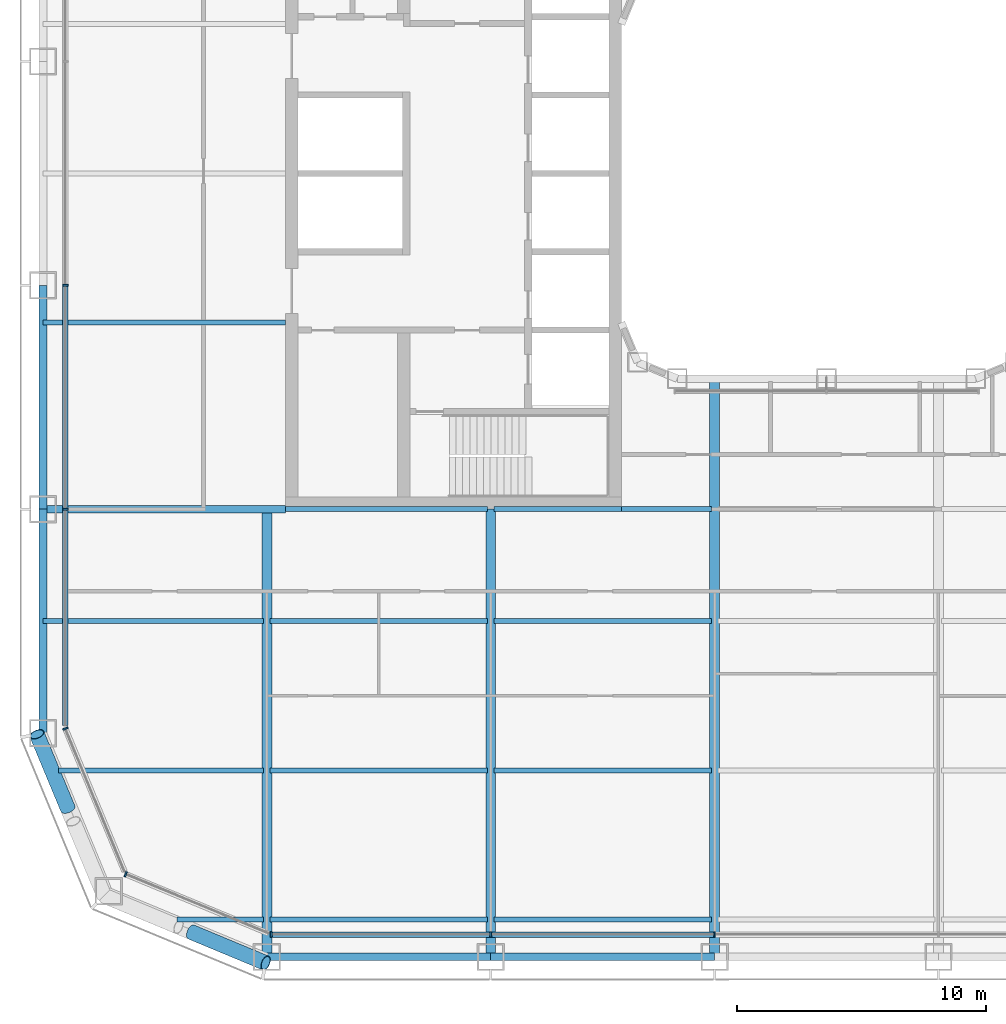
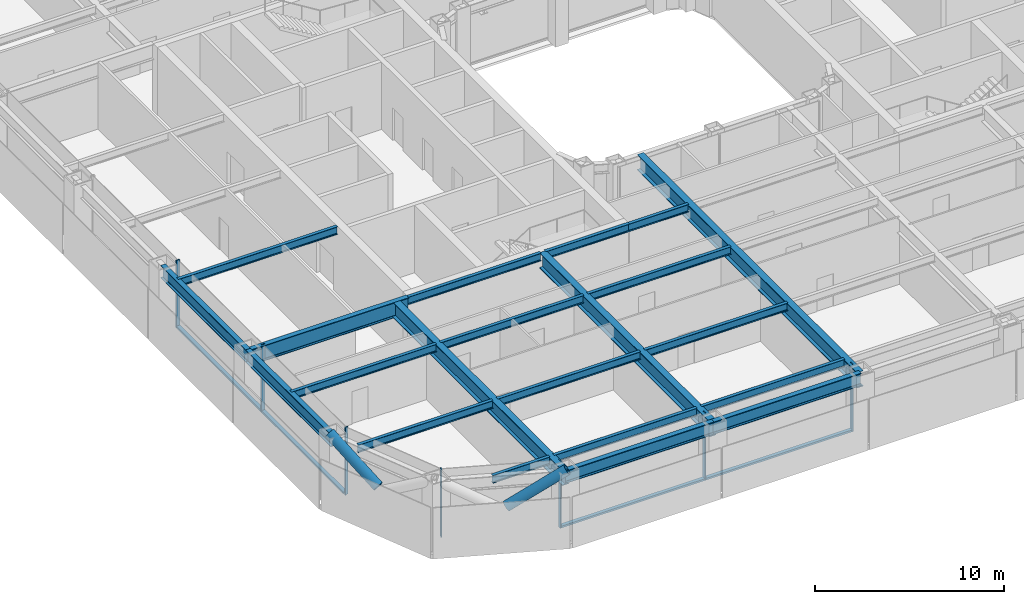
# One storey, part 2 of 30: 21 beams, 13 members, 4 elements without a shape of their own.
"""IFC4 building model written with IfcOpenShell, lengths in metres."""

from ifc_helpers import new_model, si_unit, direction, frame, origin, origin_2d, place, context, subcontext, project, spatial, rectangle, hollow_circle, i_section, extrude, material, layer, layer_set, material_profile, profile_set, type_object, element, aggregate, save


model = new_model("IFC4")

# Units and contexts
model_context = context("Model", 3, precision=1e-05, world=origin(), true_north=direction((0.0, 1.0)))
body_context = subcontext(model_context, "Body", "Model", "MODEL_VIEW")
ifc_project = project(units=[si_unit("LENGTHUNIT", "METRE"), si_unit("AREAUNIT", "SQUARE_METRE"), si_unit("VOLUMEUNIT", "CUBIC_METRE"), si_unit("PLANEANGLEUNIT", "RADIAN"), si_unit("MASSUNIT", "GRAM", prefix="KILO")], contexts=[model_context])

# Site, building, storey
site_placement = place(None, origin())
site = spatial("IfcSite", under=ifc_project, at=site_placement, CompositionType="ELEMENT")
building_placement = place(site_placement, origin())
building = spatial("IfcBuilding", under=site, at=building_placement, Name="Siwar Civic Tower", CompositionType="ELEMENT")
storey_placement = place(building_placement, frame((0.0, 0.0, 44.699951171875)))
storey = spatial("IfcBuildingStorey", under=building, at=storey_placement, Name="L09", CompositionType="ELEMENT", Elevation=44.699951171875)

# Curtain wall, members
ifc_material_1 = material(Name="Aluminium and glass", Category="aluminium")
ifc_layer_1 = layer(ifc_material_1, 0.219970703125)
ifc_layer_set_1 = layer_set([ifc_layer_1], Name="Aluminium and glass")
curtain_wall_type_1 = type_object("IfcCurtainWallType", Name="ENV-CW-A", PredefinedType="NOTDEFINED", material=ifc_layer_set_1)
curtain_wall_1_placement = place(storey_placement, origin())
curtain_wall_1 = element("IfcCurtainWall", 1, at=curtain_wall_1_placement, inside=storey, type_object=curtain_wall_type_1, Name="Curtain wall A S", PredefinedType="NOTDEFINED")
ifc_material_2 = material(Name="Aluminium 6063-T6", Category="aluminium")
ifc_material_profile_1 = material_profile(ifc_material_2, rectangle(XDim=0.219970703125, YDim=0.070068359375, at=origin_2d()), Name="AL 220x70")
ifc_profile_set_1 = profile_set([ifc_material_profile_1], Name="Aluminium 6063-T6")
member_type_1 = type_object("IfcMemberType", Name="ENV-MULLION-A", PredefinedType="MULLION", material=ifc_profile_set_1)
member_1_placement = place(storey_placement, frame((-22.321044921875, -30.60009765625, 0.0), z_axis=(0.0, 0.0, 1.0), x_axis=(0.0, 1.0, 0.0)))
member_1 = element("IfcMember", 2, at=member_1_placement, type_object=member_type_1, Name="Mullion A S 1", PredefinedType="MULLION", context=body_context, shape_type="SweptSolid", body=[
    extrude(rectangle(XDim=0.219970703125, YDim=0.070068359375, at=origin_2d()), origin(), (0.0, 0.0, 1.0), 4.35009765625),
])
member_2_placement = place(storey_placement, frame((-13.5, -30.60009765625, 0.0), z_axis=(0.0, 0.0, 1.0), x_axis=(0.0, 1.0, 0.0)))
member_2 = element("IfcMember", 3, at=member_2_placement, type_object=member_type_1, Name="Mullion A S 2", PredefinedType="MULLION", context=body_context, shape_type="SweptSolid", body=[
    extrude(rectangle(XDim=0.219970703125, YDim=0.070068359375, at=origin_2d()), origin(), (0.0, 0.0, 1.0), 4.35009765625),
])
member_3_placement = place(storey_placement, frame((-4.5, -30.60009765625, 0.0), z_axis=(0.0, 0.0, 1.0), x_axis=(0.0, 1.0, 0.0)))
member_3 = element("IfcMember", 4, at=member_3_placement, type_object=member_type_1, Name="Mullion A S 3", PredefinedType="MULLION", context=body_context, shape_type="SweptSolid", body=[
    extrude(rectangle(XDim=0.219970703125, YDim=0.070068359375, at=origin_2d()), origin(), (0.0, 0.0, 1.0), 4.35009765625),
])

curtain_wall_2_placement = place(storey_placement, origin())
curtain_wall_2 = element("IfcCurtainWall", 5, at=curtain_wall_2_placement, inside=storey, type_object=curtain_wall_type_1, Name="Curtain wall A W", PredefinedType="NOTDEFINED")
member_4_placement = place(storey_placement, frame((-30.60009765625, -4.5, 0.0), z_axis=(0.0, 0.0, 1.0), x_axis=(1.0, 0.0, 0.0)))
member_4 = element("IfcMember", 6, at=member_4_placement, type_object=member_type_1, Name="Mullion A W 4", PredefinedType="MULLION", context=body_context, shape_type="SweptSolid", body=[
    extrude(rectangle(XDim=0.219970703125, YDim=0.070068359375, at=origin_2d()), origin(), (0.0, 0.0, 1.0), 4.35009765625),
])
member_5_placement = place(storey_placement, frame((-30.60009765625, -13.5, 0.0), z_axis=(0.0, 0.0, 1.0), x_axis=(1.0, 0.0, 0.0)))
member_5 = element("IfcMember", 7, at=member_5_placement, type_object=member_type_1, Name="Mullion A W 5", PredefinedType="MULLION", context=body_context, shape_type="SweptSolid", body=[
    extrude(rectangle(XDim=0.219970703125, YDim=0.070068359375, at=origin_2d()), origin(), (0.0, 0.0, 1.0), 4.35009765625),
])

# Curtain wall, member
ifc_material_3 = material(Name="Aluminium clad insulated panel", Category="aluminium")
ifc_layer_2 = layer(ifc_material_3, 0.219970703125)
ifc_layer_set_2 = layer_set([ifc_layer_2], Name="Aluminium clad insulated panel")
curtain_wall_type_2 = type_object("IfcCurtainWallType", Name="ENV-CW-AX", PredefinedType="NOTDEFINED", material=ifc_layer_set_2)
curtain_wall_3_placement = place(storey_placement, origin())
curtain_wall_3 = element("IfcCurtainWall", 8, at=curtain_wall_3_placement, inside=storey, type_object=curtain_wall_type_2, Name="Curtain wall A SW1", PredefinedType="NOTDEFINED")
member_6_placement = place(storey_placement, frame((-30.60009765625, -22.321044921875, 0.0), z_axis=(0.0, 0.0, 1.0), x_axis=(0.923879532511, 0.382683432365, 0.0)))
member_6 = element("IfcMember", 9, at=member_6_placement, type_object=member_type_1, Name="Mullion A SW1 1", PredefinedType="MULLION", context=body_context, shape_type="SweptSolid", body=[
    extrude(rectangle(XDim=0.219970703125, YDim=0.070068359375, at=origin_2d()), origin(), (0.0, 0.0, 1.0), 4.35009765625),
])
aggregate(curtain_wall_3, [member_6])

curtain_wall_4_placement = place(storey_placement, origin())
curtain_wall_4 = element("IfcCurtainWall", 10, at=curtain_wall_4_placement, inside=storey, type_object=curtain_wall_type_2, Name="Curtain wall A SW2", PredefinedType="NOTDEFINED")
member_7_placement = place(storey_placement, frame((-28.175048828125, -28.175048828125, 0.0), z_axis=(0.0, 0.0, 1.0), x_axis=(0.382683432365, 0.923879532511, 0.0)))
member_7 = element("IfcMember", 11, at=member_7_placement, type_object=member_type_1, Name="Mullion A SW2 1", PredefinedType="MULLION", context=body_context, shape_type="SweptSolid", body=[
    extrude(rectangle(XDim=0.219970703125, YDim=0.070068359375, at=origin_2d()), origin(), (0.0, 0.0, 1.0), 4.35009765625),
])
aggregate(curtain_wall_4, [member_7])

# Member
ifc_material_4 = material(Name="Aluminium 6063-T6", Category="aluminium")
ifc_material_profile_2 = material_profile(ifc_material_4, rectangle(XDim=0.219970703125, YDim=0.1201171875, at=origin_2d()), Name="AL 220x120")
ifc_profile_set_2 = profile_set([ifc_material_profile_2], Name="Aluminium 6063-T6")
member_type_2 = type_object("IfcMemberType", Name="ENV-TRANSOM-A", PredefinedType="USERDEFINED", material=ifc_profile_set_2)
member_8_placement = place(storey_placement, frame((-22.285888671875, -30.60009765625, 0.06005859375), z_axis=(1.0, 0.0, 0.0), x_axis=(0.0, 1.0, 0.0)))
member_8 = element("IfcMember", 12, at=member_8_placement, type_object=member_type_2, Name="Transom A S 1", ObjectType="TRANSOM", PredefinedType="USERDEFINED", context=body_context, shape_type="SweptSolid", body=[
    extrude(rectangle(XDim=0.219970703125, YDim=0.1201171875, at=origin_2d()), origin(), (0.0, 0.0, 1.0), 8.7509765625),
])

member_9_placement = place(storey_placement, frame((-13.465087890625, -30.60009765625, 0.06005859375), z_axis=(1.0, 0.0, 0.0), x_axis=(0.0, 1.0, 0.0)))
member_9 = element("IfcMember", 13, at=member_9_placement, type_object=member_type_2, Name="Transom A S 2", ObjectType="TRANSOM", PredefinedType="USERDEFINED", context=body_context, shape_type="SweptSolid", body=[
    extrude(rectangle(XDim=0.219970703125, YDim=0.1201171875, at=origin_2d()), origin(), (0.0, 0.0, 1.0), 8.93017578125),
])

aggregate(curtain_wall_1, [member_1, member_2, member_3, member_8, member_9])

member_10_placement = place(storey_placement, frame((-30.60009765625, -4.534912109375, 0.06005859375), z_axis=(0.0, -1.0, 0.0), x_axis=(1.0, 0.0, 0.0)))
member_10 = element("IfcMember", 14, at=member_10_placement, type_object=member_type_2, Name="Transom A W 4", ObjectType="TRANSOM", PredefinedType="USERDEFINED", context=body_context, shape_type="SweptSolid", body=[
    extrude(rectangle(XDim=0.219970703125, YDim=0.1201171875, at=origin_2d()), origin(), (0.0, 0.0, 1.0), 8.93017578125),
])

member_11_placement = place(storey_placement, frame((-30.60009765625, -13.534912109375, 0.06005859375), z_axis=(0.0, -1.0, 0.0), x_axis=(1.0, 0.0, 0.0)))
member_11 = element("IfcMember", 15, at=member_11_placement, type_object=member_type_2, Name="Transom A W 5", ObjectType="TRANSOM", PredefinedType="USERDEFINED", context=body_context, shape_type="SweptSolid", body=[
    extrude(rectangle(XDim=0.219970703125, YDim=0.1201171875, at=origin_2d()), origin(), (0.0, 0.0, 1.0), 8.66357421875),
])

aggregate(curtain_wall_2, [member_4, member_5, member_10, member_11])

# Members
ifc_material_5 = material(Name="Steel S355", Category="steel")
ifc_material_profile_3 = material_profile(ifc_material_5, hollow_circle(Radius=0.304931640625, WallThickness=0.030029296875, at=origin_2d()), Name="CHS610x30")
ifc_profile_set_3 = profile_set([ifc_material_profile_3], Name="Steel S355")
member_type_3 = type_object("IfcMemberType", Name="STR-BR-CHS610x30", PredefinedType="BRACE", material=ifc_profile_set_3)
for number, where, z_axis, x_axis, name in (
    (16, (-25.537353515625, -30.500244140625, 2.428466796875), (0.777559680196, -0.3238932121, 0.53897507446), (0.384524353215, 0.923114847559, 0.0), "L09/brc/ASW1-8-0-3"),
    (17, (-30.500244140625, -25.537353515625, 2.428466796875), (-0.3238932121, 0.777559680196, 0.53897507446), (-0.923114847559, -0.384524353215, 0.0), "L09/brc/ASW1-8-0-5"),
):
    element("IfcMember", number, at=place(storey_placement, frame(where, z_axis=z_axis, x_axis=x_axis)), inside=storey, type_object=member_type_3, Name=name, PredefinedType="BRACE", context=body_context, shape_type="SweptSolid", body=[
        extrude(hollow_circle(Radius=0.304931640625, WallThickness=0.030029296875, at=origin_2d()), origin(), (0.0, 0.0, 1.0), 3.843505859375),
    ])

# Beams
ifc_material_6 = material(Name="Steel S355", Category="steel")
ifc_material_profile_4 = material_profile(ifc_material_6, i_section(OverallWidth=0.199951171875, OverallDepth=0.5, WebThickness=0.01025390625, FlangeThickness=0.01611328125, FilletRadius=0.02099609375, at=origin_2d()), Name="IPE500")
ifc_profile_set_4 = profile_set([ifc_material_profile_4], Name="Steel S355")
beam_type_1 = type_object("IfcBeamType", Name="STR-FB-IPE500", PredefinedType="JOIST", material=ifc_profile_set_4)
beam_1_placement = place(storey_placement, frame((-26.121337890625, -30.0, 4.10009765625), z_axis=(1.0, 0.0, 0.0), x_axis=(0.0, 1.0, 0.0)))
element("IfcBeam", 18, at=beam_1_placement, inside=storey, type_object=beam_type_1, Name="L09/bm/F001", PredefinedType="JOIST", context=body_context, shape_type="SweptSolid", body=[
    extrude(i_section(OverallWidth=0.199951171875, OverallDepth=0.5, WebThickness=0.01025390625, FlangeThickness=0.01611328125, FilletRadius=0.02099609375, at=origin_2d()), origin(), (0.0, 0.0, 1.0), 3.491455078125),
])
for number, where, z_axis, x_axis, name in (
    (19, (-22.3701171875, -30.0, 4.10009765625), (1.0, 0.0, 0.0), (0.0, 1.0, 0.0), "L09/bm/F002"),
    (20, (-13.3701171875, -30.0, 4.10009765625), (1.0, 0.0, 0.0), (0.0, 1.0, 0.0), "L09/bm/F003"),
):
    element("IfcBeam", number, at=place(storey_placement, frame(where, z_axis=z_axis, x_axis=x_axis)), inside=storey, type_object=beam_type_1, Name=name, PredefinedType="JOIST", context=body_context, shape_type="SweptSolid", body=[
        extrude(i_section(OverallWidth=0.199951171875, OverallDepth=0.5, WebThickness=0.01025390625, FlangeThickness=0.01611328125, FilletRadius=0.02099609375, at=origin_2d()), origin(), (0.0, 0.0, 1.0), 8.740234375),
    ])
beam_2_placement = place(storey_placement, frame((-30.878662109375, -24.0, 4.10009765625), z_axis=(1.0, 0.0, 0.0), x_axis=(0.0, 1.0, 0.0)))
element("IfcBeam", 21, at=beam_2_placement, inside=storey, type_object=beam_type_1, Name="L09/bm/F008", PredefinedType="JOIST", context=body_context, shape_type="SweptSolid", body=[
    extrude(i_section(OverallWidth=0.199951171875, OverallDepth=0.5, WebThickness=0.01025390625, FlangeThickness=0.01611328125, FilletRadius=0.02099609375, at=origin_2d()), origin(), (0.0, 0.0, 1.0), 8.248779296875),
])
for number, where, z_axis, x_axis, name in (
    (22, (-22.3701171875, -24.0, 4.10009765625), (1.0, 0.0, 0.0), (0.0, 1.0, 0.0), "L09/bm/F009"),
    (23, (-13.3701171875, -24.0, 4.10009765625), (1.0, 0.0, 0.0), (0.0, 1.0, 0.0), "L09/bm/F010"),
):
    element("IfcBeam", number, at=place(storey_placement, frame(where, z_axis=z_axis, x_axis=x_axis)), inside=storey, type_object=beam_type_1, Name=name, PredefinedType="JOIST", context=body_context, shape_type="SweptSolid", body=[
        extrude(i_section(OverallWidth=0.199951171875, OverallDepth=0.5, WebThickness=0.01025390625, FlangeThickness=0.01611328125, FilletRadius=0.02099609375, at=origin_2d()), origin(), (0.0, 0.0, 1.0), 8.740234375),
    ])
beam_3_placement = place(storey_placement, frame((-31.5, -18.0, 4.10009765625), z_axis=(1.0, 0.0, 0.0), x_axis=(0.0, 1.0, 0.0)))
element("IfcBeam", 24, at=beam_3_placement, inside=storey, type_object=beam_type_1, Name="L09/bm/F015", PredefinedType="JOIST", context=body_context, shape_type="SweptSolid", body=[
    extrude(i_section(OverallWidth=0.199951171875, OverallDepth=0.5, WebThickness=0.01025390625, FlangeThickness=0.01611328125, FilletRadius=0.02099609375, at=origin_2d()), origin(), (0.0, 0.0, 1.0), 8.8701171875),
])
for number, where, z_axis, x_axis, name in (
    (25, (-22.3701171875, -18.0, 4.10009765625), (1.0, 0.0, 0.0), (0.0, 1.0, 0.0), "L09/bm/F016"),
    (26, (-13.3701171875, -18.0, 4.10009765625), (1.0, 0.0, 0.0), (0.0, 1.0, 0.0), "L09/bm/F017"),
):
    element("IfcBeam", number, at=place(storey_placement, frame(where, z_axis=z_axis, x_axis=x_axis)), inside=storey, type_object=beam_type_1, Name=name, PredefinedType="JOIST", context=body_context, shape_type="SweptSolid", body=[
        extrude(i_section(OverallWidth=0.199951171875, OverallDepth=0.5, WebThickness=0.01025390625, FlangeThickness=0.01611328125, FilletRadius=0.02099609375, at=origin_2d()), origin(), (0.0, 0.0, 1.0), 8.740234375),
    ])
beam_4_placement = place(storey_placement, frame((-21.75, -13.5, 4.10009765625), z_axis=(1.0, 0.0, 0.0), x_axis=(0.0, 1.0, 0.0)))
element("IfcBeam", 27, at=beam_4_placement, inside=storey, type_object=beam_type_1, Name="L09/bm/F023", PredefinedType="JOIST", context=body_context, shape_type="SweptSolid", body=[
    extrude(i_section(OverallWidth=0.199951171875, OverallDepth=0.5, WebThickness=0.01025390625, FlangeThickness=0.01611328125, FilletRadius=0.02099609375, at=origin_2d()), origin(), (0.0, 0.0, 1.0), 8.1201171875),
])
beam_5_placement = place(storey_placement, frame((-13.3701171875, -13.5, 4.10009765625), z_axis=(1.0, 0.0, 0.0), x_axis=(0.0, 1.0, 0.0)))
element("IfcBeam", 28, at=beam_5_placement, inside=storey, type_object=beam_type_1, Name="L09/bm/F024", PredefinedType="JOIST", context=body_context, shape_type="SweptSolid", body=[
    extrude(i_section(OverallWidth=0.199951171875, OverallDepth=0.5, WebThickness=0.01025390625, FlangeThickness=0.01611328125, FilletRadius=0.02099609375, at=origin_2d()), origin(), (0.0, 0.0, 1.0), 5.1201171875),
])
beam_6_placement = place(storey_placement, frame((-8.25, -13.5, 4.10009765625), z_axis=(1.0, 0.0, 0.0), x_axis=(0.0, 1.0, 0.0)))
element("IfcBeam", 29, at=beam_6_placement, inside=storey, type_object=beam_type_1, Name="L09/bm/F025", PredefinedType="JOIST", context=body_context, shape_type="SweptSolid", body=[
    extrude(i_section(OverallWidth=0.199951171875, OverallDepth=0.5, WebThickness=0.01025390625, FlangeThickness=0.01611328125, FilletRadius=0.02099609375, at=origin_2d()), origin(), (0.0, 0.0, 1.0), 3.6201171875),
])
beam_7_placement = place(storey_placement, frame((-31.5, -6.0, 4.10009765625), z_axis=(1.0, 0.0, 0.0), x_axis=(0.0, 1.0, 0.0)))
element("IfcBeam", 30, at=beam_7_placement, inside=storey, type_object=beam_type_1, Name="L09/bm/F031", PredefinedType="JOIST", context=body_context, shape_type="SweptSolid", body=[
    extrude(i_section(OverallWidth=0.199951171875, OverallDepth=0.5, WebThickness=0.01025390625, FlangeThickness=0.01611328125, FilletRadius=0.02099609375, at=origin_2d()), origin(), (0.0, 0.0, 1.0), 9.75),
])
ifc_material_7 = material(Name="Steel S355", Category="steel")
ifc_material_profile_5 = material_profile(ifc_material_7, i_section(OverallWidth=0.300048828125, OverallDepth=1.0, WebThickness=0.01904296875, FlangeThickness=0.035888671875, FilletRadius=0.030029296875, at=origin_2d()), Name="HEB1000")
ifc_profile_set_5 = profile_set([ifc_material_profile_5], Name="Steel S355")
beam_type_2 = type_object("IfcBeamType", Name="STR-PG-HEB1000", PredefinedType="BEAM", material=ifc_profile_set_5)
beam_8_placement = place(storey_placement, frame((-31.5, -13.5, 3.85009765625), z_axis=(1.0, 0.0, 0.0), x_axis=(0.0, 1.0, 0.0)))
element("IfcBeam", 31, at=beam_8_placement, inside=storey, type_object=beam_type_2, Name="L09/bm/F022", PredefinedType="BEAM", context=body_context, shape_type="SweptSolid", body=[
    extrude(i_section(OverallWidth=0.300048828125, OverallDepth=1.0, WebThickness=0.01904296875, FlangeThickness=0.035888671875, FilletRadius=0.030029296875, at=origin_2d()), origin(), (0.0, 0.0, 1.0), 9.75),
])
ifc_material_8 = material(Name="Steel S355", Category="steel")
ifc_material_profile_6 = material_profile(ifc_material_8, i_section(OverallWidth=0.39990234375, OverallDepth=1.0, WebThickness=0.01611328125, FlangeThickness=0.0400390625, at=origin_2d()), Name="PG1000x400x16x40")
ifc_profile_set_6 = profile_set([ifc_material_profile_6], Name="Steel S355")
beam_type_3 = type_object("IfcBeamType", Name="STR-PG-PG1000x400x16x40", PredefinedType="BEAM", material=ifc_profile_set_6)
for number, where, z_axis, x_axis, name in (
    (32, (-22.5, -31.5, 3.85009765625), (0.0, 1.0, 0.0), (-1.0, 0.0, 0.0), "L09/bm/G01"),
    (33, (-13.5, -31.5, 3.85009765625), (0.0, 1.0, 0.0), (-1.0, 0.0, 0.0), "L09/bm/G03"),
):
    element("IfcBeam", number, at=place(storey_placement, frame(where, z_axis=z_axis, x_axis=x_axis)), inside=storey, type_object=beam_type_3, Name=name, PredefinedType="BEAM", context=body_context, shape_type="SweptSolid", body=[
        extrude(i_section(OverallWidth=0.39990234375, OverallDepth=1.0, WebThickness=0.01611328125, FlangeThickness=0.0400390625, at=origin_2d()), origin(), (0.0, 0.0, 1.0), 18.0),
    ])
beam_9_placement = place(storey_placement, frame((-4.5, -31.5, 3.85009765625), z_axis=(0.0, 1.0, 0.0), x_axis=(-1.0, 0.0, 0.0)))
element("IfcBeam", 34, at=beam_9_placement, inside=storey, type_object=beam_type_3, Name="L09/bm/G05", PredefinedType="BEAM", context=body_context, shape_type="SweptSolid", body=[
    extrude(i_section(OverallWidth=0.39990234375, OverallDepth=1.0, WebThickness=0.01611328125, FlangeThickness=0.0400390625, at=origin_2d()), origin(), (0.0, 0.0, 1.0), 23.25),
])
ifc_material_9 = material(Name="Steel S355", Category="steel")
ifc_material_profile_7 = material_profile(ifc_material_9, i_section(OverallWidth=0.302978515625, OverallDepth=0.81396484375, WebThickness=0.02099609375, FlangeThickness=0.0400390625, FilletRadius=0.030029296875, at=origin_2d()), Name="HEM800")
ifc_profile_set_7 = profile_set([ifc_material_profile_7], Name="Steel S355")
beam_type_4 = type_object("IfcBeamType", Name="STR-SB-HEM800", PredefinedType="BEAM", material=ifc_profile_set_7)
for number, where, z_axis, x_axis, name in (
    (35, (-22.5, -31.5, 3.943115234375), (1.0, 0.0, 0.0), (0.0, 1.0, 0.0), "L09/bm/SS-0"),
    (36, (-13.5, -31.5, 3.943115234375), (1.0, 0.0, 0.0), (0.0, 1.0, 0.0), "L09/bm/SS-1"),
    (37, (-31.5, -4.5, 3.943115234375), (0.0, -1.0, 0.0), (1.0, 0.0, 0.0), "L09/bm/SW-3"),
    (38, (-31.5, -13.5, 3.943115234375), (0.0, -1.0, 0.0), (1.0, 0.0, 0.0), "L09/bm/SW-4"),
):
    element("IfcBeam", number, at=place(storey_placement, frame(where, z_axis=z_axis, x_axis=x_axis)), inside=storey, type_object=beam_type_4, Name=name, PredefinedType="BEAM", context=body_context, shape_type="SweptSolid", body=[
        extrude(i_section(OverallWidth=0.302978515625, OverallDepth=0.81396484375, WebThickness=0.02099609375, FlangeThickness=0.0400390625, FilletRadius=0.030029296875, at=origin_2d()), origin(), (0.0, 0.0, 1.0), 9.0),
    ])

save(model, "model.ifc")
